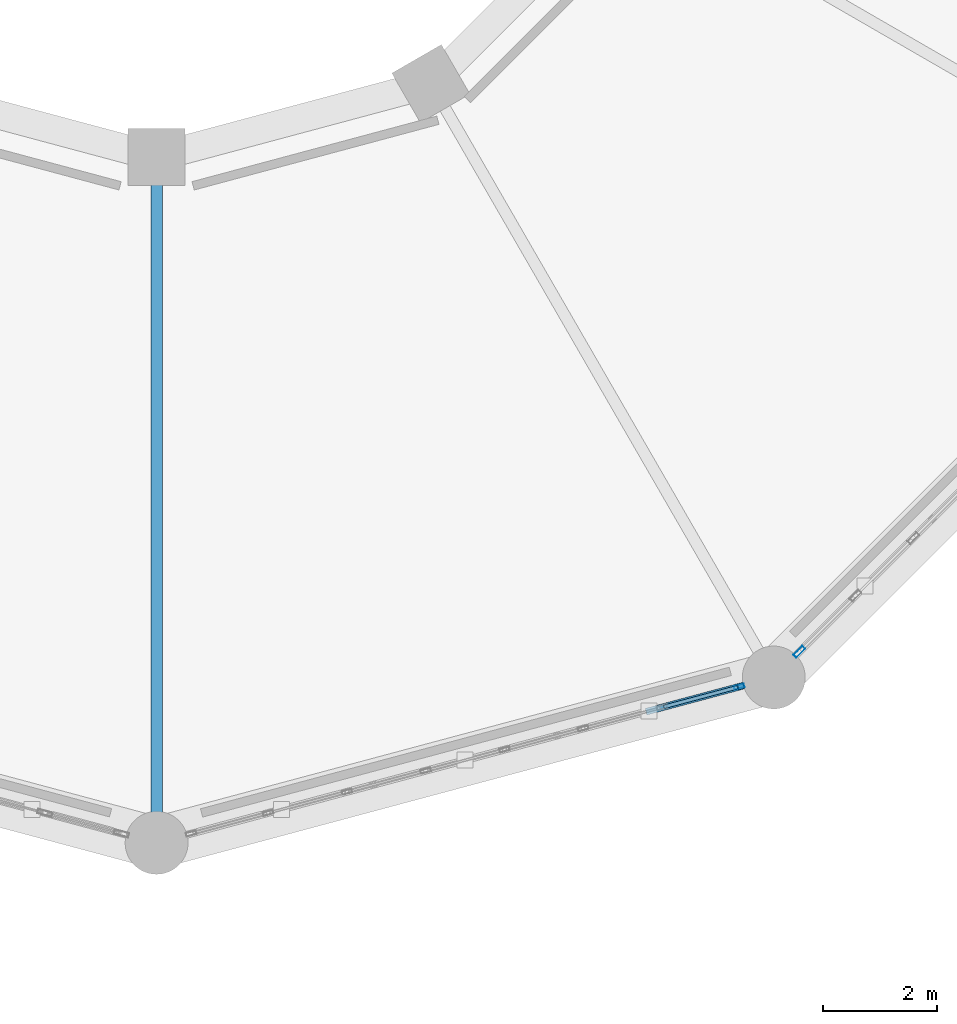
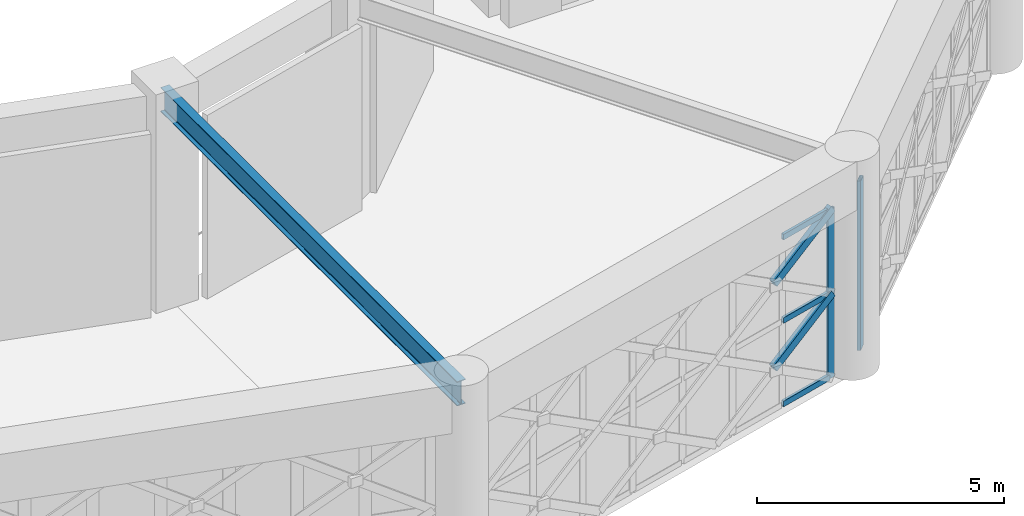
# One storey, part 23 of 72: 7 members, 1 beam, 2 elements without a shape of their own.
"""IFC4 building model written with IfcOpenShell, lengths in metres."""

from ifc_helpers import new_model, si_unit, direction, frame, origin, origin_2d, place, context, subcontext, project, spatial, hollow_rectangle, i_section, extrude, material, material_profile, profile_set, type_object, element, aggregate, save


model = new_model("IFC4")

# Units and contexts
model_context = context("Model", 3, precision=1e-05, world=origin(), true_north=direction((0.0, 1.0)))
body_context = subcontext(model_context, "Body", "Model", "MODEL_VIEW")
ifc_project = project(units=[si_unit("LENGTHUNIT", "METRE"), si_unit("AREAUNIT", "SQUARE_METRE"), si_unit("VOLUMEUNIT", "CUBIC_METRE"), si_unit("PLANEANGLEUNIT", "RADIAN"), si_unit("MASSUNIT", "GRAM", prefix="KILO")], contexts=[model_context])

# Site, building, storey
site_placement = place(None, origin())
site = spatial("IfcSite", under=ifc_project, at=site_placement, CompositionType="ELEMENT")
building_placement = place(site_placement, origin())
building = spatial("IfcBuilding", under=site, at=building_placement, Name="Haizhuo Lancet Aquarium", CompositionType="ELEMENT")
storey_placement = place(building_placement, frame((0.0, 0.0, 21.60009765625)))
storey = spatial("IfcBuildingStorey", under=building, at=storey_placement, Name="L04", CompositionType="ELEMENT", Elevation=21.60009765625)

# Beam
ifc_material_1 = material(Name="Steel S355", Category="steel")
ifc_material_profile_1 = material_profile(ifc_material_1, i_section(OverallWidth=0.199951171875, OverallDepth=0.60009765625, WebThickness=0.010986328125, FlangeThickness=0.01708984375, FilletRadius=0.02197265625, at=origin_2d()), Name="HN 600x200x11x17")
ifc_profile_set_1 = profile_set([ifc_material_profile_1], Name="Steel S355")
beam_type = type_object("IfcBeamType", Name="BM-ST-HN600", PredefinedType="BEAM", material=ifc_profile_set_1)
beam_placement = place(storey_placement, frame((0.0, -9.60009765625, 4.849853515625), z_axis=(0.0, -1.0, 0.0), x_axis=(1.0, 0.0, 0.0)))
element("IfcBeam", 1, at=beam_placement, inside=storey, type_object=beam_type, Name="L04 radial gallery girder 10", PredefinedType="BEAM", context=body_context, shape_type="SweptSolid", body=[
    extrude(i_section(OverallWidth=0.199951171875, OverallDepth=0.60009765625, WebThickness=0.010986328125, FlangeThickness=0.01708984375, FilletRadius=0.02197265625, at=origin_2d()), origin(), (0.0, 0.0, 1.0), 12.0),
])

# Curtain wall, member
ifc_material_2 = material(Name="Aluminium 6063-T6", Category="aluminium")
curtain_wall_type = type_object("IfcCurtainWallType", Name="CWO-9990x4180", PredefinedType="NOTDEFINED", material=ifc_material_2)
curtain_wall_1_placement = place(storey_placement, origin())
curtain_wall_1 = element("IfcCurtainWall", 2, at=curtain_wall_1_placement, inside=storey, type_object=curtain_wall_type, Name="L04 curtain wall CW-V1-L04-10", PredefinedType="NOTDEFINED")
ifc_material_profile_2 = material_profile(ifc_material_2, hollow_rectangle(XDim=0.06494140625, YDim=0.179931640625, WallThickness=0.00390625, at=origin_2d()), Name="ALU-M 65x180x4")
ifc_profile_set_2 = profile_set([ifc_material_profile_2], Name="Aluminium 6063-T6")
member_type_1 = type_object("IfcMemberType", Name="CW-MUL-1", PredefinedType="MULLION", material=ifc_profile_set_2)
member_1_placement = place(storey_placement, frame((10.194091796875, -18.867919921875, 0.0), z_axis=(0.0, 0.0, 1.0), x_axis=(0.258852762117, -0.965916791212, 0.0)))
member_1 = element("IfcMember", 3, at=member_1_placement, type_object=member_type_1, Name="CWO-99x41 mullion 1", PredefinedType="MULLION", context=body_context, shape_type="SweptSolid", body=[
    extrude(hollow_rectangle(XDim=0.06494140625, YDim=0.179931640625, WallThickness=0.00390625, at=origin_2d()), origin(), (0.0, 0.0, 1.0), 4.184814453125),
])

curtain_wall_2_placement = place(storey_placement, origin())
curtain_wall_2 = element("IfcCurtainWall", 4, at=curtain_wall_2_placement, inside=storey, type_object=curtain_wall_type, Name="L04 curtain wall CW-V1-L04-11", PredefinedType="NOTDEFINED")
ifc_material_profile_3 = material_profile(ifc_material_2, hollow_rectangle(XDim=0.074951171875, YDim=0.219970703125, WallThickness=0.0048828125, at=origin_2d()), Name="ALU-M 75x220x5")
ifc_profile_set_3 = profile_set([ifc_material_profile_3], Name="Aluminium 6063-T6")
member_type_2 = type_object("IfcMemberType", Name="CW-MUL-2", PredefinedType="MULLION", material=ifc_profile_set_3)
member_2_placement = place(storey_placement, frame((11.248046875, -18.258056640625, 0.0), z_axis=(0.0, 0.0, 1.0), x_axis=(0.707106781187, -0.707106781187, 0.0)))
member_2 = element("IfcMember", 5, at=member_2_placement, type_object=member_type_2, Name="CWO-99x41 mullion 8", PredefinedType="MULLION", context=body_context, shape_type="SweptSolid", body=[
    extrude(hollow_rectangle(XDim=0.074951171875, YDim=0.219970703125, WallThickness=0.0048828125, at=origin_2d()), origin(), (0.0, 0.0, 1.0), 4.184814453125),
])
aggregate(curtain_wall_2, [member_2])

# Member
ifc_material_profile_4 = material_profile(ifc_material_2, hollow_rectangle(XDim=0.06494140625, YDim=0.139892578125, WallThickness=0.00390625, at=origin_2d()), Name="ALU-T 65x140x4")
ifc_profile_set_4 = profile_set([ifc_material_profile_4], Name="Aluminium 6063-T6")
member_type_3 = type_object("IfcMemberType", Name="CW-TRN-1", PredefinedType="NOTDEFINED", material=ifc_profile_set_4)
member_3_placement = place(storey_placement, frame((10.162109375, -18.876953125, 0.032958984375), z_axis=(-0.965944773121, -0.258748324207, 0.0), x_axis=(0.258748324207, -0.965944773121, 0.0)))
member_3 = element("IfcMember", 6, at=member_3_placement, type_object=member_type_3, Name="CWO-99x41 transom 1.1", ObjectType="TRANSOM", PredefinedType="USERDEFINED", context=body_context, shape_type="SweptSolid", body=[
    extrude(hollow_rectangle(XDim=0.06494140625, YDim=0.139892578125, WallThickness=0.00390625, at=origin_2d()), origin(), (0.0, 0.0, 1.0), 1.329345703125),
])

member_4_placement = place(storey_placement, frame((10.162109375, -18.876953125, 2.093017578125), z_axis=(-0.965944773121, -0.258748324207, 0.0), x_axis=(0.258748324207, -0.965944773121, 0.0)))
member_4 = element("IfcMember", 7, at=member_4_placement, type_object=member_type_3, Name="CWO-99x41 transom 1.2", ObjectType="TRANSOM", PredefinedType="USERDEFINED", context=body_context, shape_type="SweptSolid", body=[
    extrude(hollow_rectangle(XDim=0.06494140625, YDim=0.139892578125, WallThickness=0.00390625, at=origin_2d()), origin(), (0.0, 0.0, 1.0), 1.329345703125),
])

member_5_placement = place(storey_placement, frame((10.162109375, -18.876953125, 4.15283203125), z_axis=(-0.965944773121, -0.258748324207, 0.0), x_axis=(0.258748324207, -0.965944773121, 0.0)))
member_5 = element("IfcMember", 8, at=member_5_placement, type_object=member_type_3, Name="CWO-99x41 transom 1.3", ObjectType="TRANSOM", PredefinedType="USERDEFINED", context=body_context, shape_type="SweptSolid", body=[
    extrude(hollow_rectangle(XDim=0.06494140625, YDim=0.139892578125, WallThickness=0.00390625, at=origin_2d()), origin(), (0.0, 0.0, 1.0), 1.329345703125),
])

aggregate(curtain_wall_1, [member_1, member_3, member_4, member_5])

# Members
ifc_material_profile_5 = material_profile(ifc_material_1, hollow_rectangle(XDim=0.1201171875, YDim=0.199951171875, WallThickness=0.008056640625, at=origin_2d()), Name="RHS 120x200x8")
ifc_profile_set_5 = profile_set([ifc_material_profile_5], Name="Steel S355")
member_type_4 = type_object("IfcMemberType", Name="MEM-LB-RHS120x200", PredefinedType="BRACE", material=ifc_profile_set_5)
member_6_placement = place(storey_placement, frame((8.616943359375, -19.291015625, 1.046875), z_axis=(0.817866441377, 0.219148970553, 0.532041551738), x_axis=(-0.25882159942, 0.965925141858, 0.0)))
element("IfcMember", 9, at=member_6_placement, inside=storey, type_object=member_type_4, Name="Gothic lancet split diagonal brace CW-V1-L04-10 1B2", PredefinedType="BRACE", context=body_context, shape_type="SweptSolid", body=[
    extrude(hollow_rectangle(XDim=0.1201171875, YDim=0.199951171875, WallThickness=0.008056640625, at=origin_2d()), origin(), (0.0, 0.0, 1.0), 1.96630859375),
])
member_7_placement = place(storey_placement, frame((8.616943359375, -19.291015625, 3.138916015625), z_axis=(0.817920468895, 0.219163447336, 0.531952525997), x_axis=(-0.25882159942, 0.965925141858, 0.0)))
element("IfcMember", 10, at=member_7_placement, inside=storey, type_object=member_type_4, Name="Gothic lancet split diagonal brace CW-V1-L04-10 2B2", PredefinedType="BRACE", context=body_context, shape_type="SweptSolid", body=[
    extrude(hollow_rectangle(XDim=0.1201171875, YDim=0.199951171875, WallThickness=0.008056640625, at=origin_2d()), origin(), (0.0, 0.0, 1.0), 1.966064453125),
])

save(model, "model.ifc")
